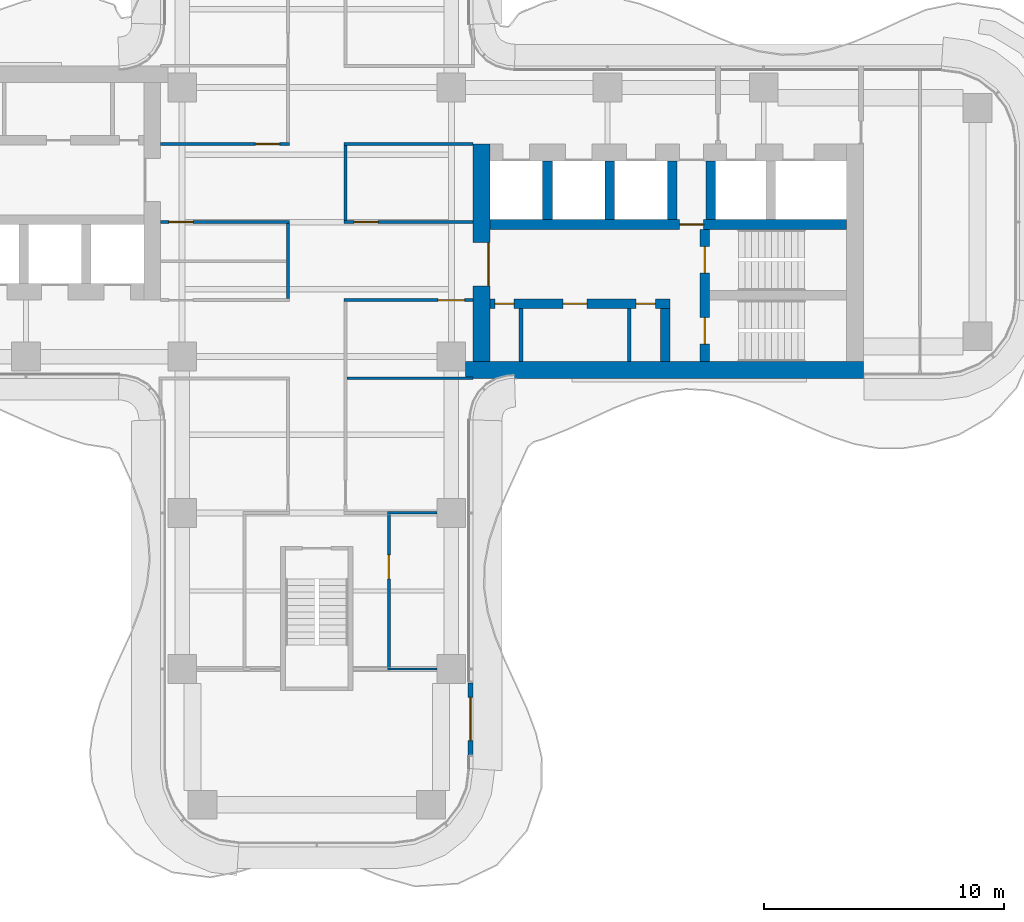
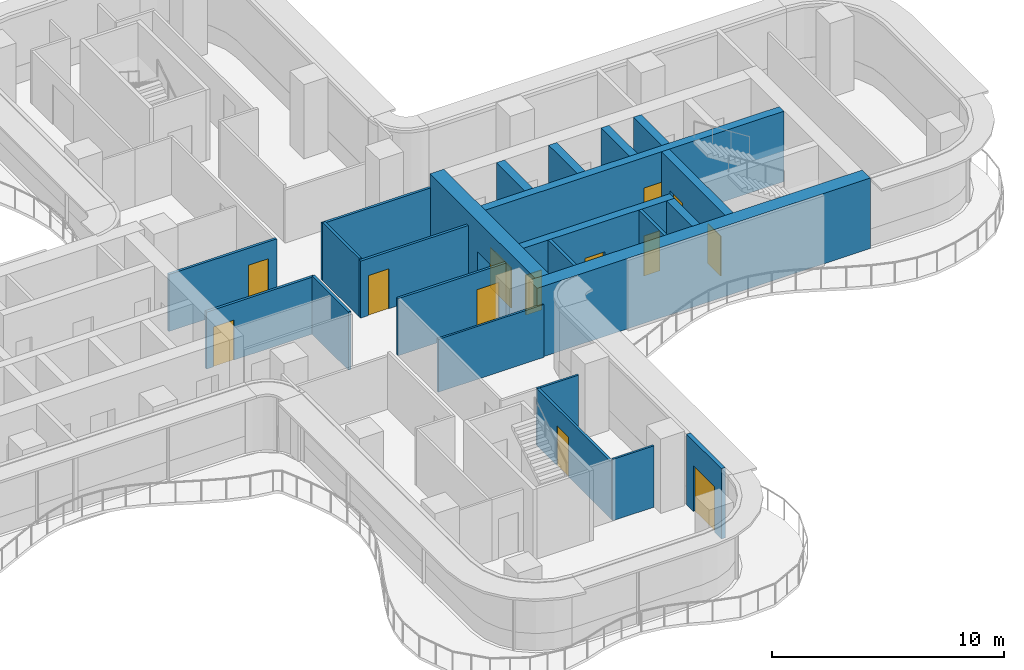
# One storey, part 14 of 18: 24 walls, 13 doors, 13 openings.
"""IFC4 building model written with IfcOpenShell, lengths in metres."""

from ifc_helpers import new_model, si_unit, direction, frame, frame_2d, origin, place, context, subcontext, project, spatial, rectangle, extrude, source, transform, mapped, material, layer, layer_set, type_object, element, fill, save


model = new_model("IFC4")

# Units and contexts
model_context = context("Model", 3, precision=1e-05, world=origin(), true_north=direction((0.0, 1.0)))
body_context = subcontext(model_context, "Body", "Model", "MODEL_VIEW")
ifc_project = project(units=[si_unit("LENGTHUNIT", "METRE"), si_unit("AREAUNIT", "SQUARE_METRE"), si_unit("VOLUMEUNIT", "CUBIC_METRE"), si_unit("PLANEANGLEUNIT", "RADIAN"), si_unit("MASSUNIT", "GRAM", prefix="KILO")], contexts=[model_context])

# Site, building, storey
site_placement = place(None, origin())
site = spatial("IfcSite", under=ifc_project, at=site_placement, CompositionType="ELEMENT")
building_placement = place(site_placement, origin())
building = spatial("IfcBuilding", under=site, at=building_placement, Name="Trellis Farm Tower", CompositionType="ELEMENT")
storey_placement = place(building_placement, frame((0.0, 0.0, 204.89990234375)))
storey = spatial("IfcBuildingStorey", under=building, at=storey_placement, Name="L45", CompositionType="ELEMENT", Elevation=204.89990234375)

# Wall, opening, door
ifc_material_1 = material(Name="Concrete C70/85", Category="concrete")
ifc_layer_1 = layer(ifc_material_1, 0.699951171875)
ifc_layer_set_1 = layer_set([ifc_layer_1], Name="CORE OUTER WALL 700 CONCRETE C70/85")
wall_type_1 = type_object("IfcWallType", Name="CORE OUTER WALL 700 CONCRETE C70/85", PredefinedType="SHEAR", material=ifc_layer_set_1)
shared_shape_1 = source(origin(), body_context, "Body", "SweptSolid", [
    extrude(rectangle(XDim=9.050048828125, YDim=0.699951171875, at=frame_2d((4.52490234375, 0.0))), origin(), (0.0, 0.0, 1.0), 3.7001953125),
])
wall_1_placement = place(storey_placement, frame((6.85009765625, -5.800048828125, 0.0), z_axis=(0.0, 0.0, 1.0), x_axis=(0.0, 1.0, 0.0)))
wall_1 = element("IfcWall", 1, at=wall_1_placement, inside=storey, type_object=wall_type_1, Name="Core wall", PredefinedType="SHEAR", context=body_context, shape_type="MappedRepresentation", body=[
    mapped(shared_shape_1, transform((0.0, 0.0, 0.0))),
])
shared_shape_2 = source(origin(), body_context, "Body", "SweptSolid", [
    extrude(rectangle(XDim=1.800048828125, YDim=2.10009765625, at=frame_2d((0.89990234375, 1.050048828125))), frame((0.0, 0.360107421875, 0.0), z_axis=(0.0, -1.0, 0.0), x_axis=(1.0, 0.0, 0.0)), (0.0, 0.0, 1.0), 0.72021484375),
])
opening_1_placement = place(wall_1_placement, frame((3.14990234375, 0.0, 0.0)))
opening_1 = element("IfcOpeningElement", 2, at=opening_1_placement, cuts=wall_1, Name="Opening DC1", PredefinedType="OPENING", context=body_context, shape_type="MappedRepresentation", body=[
    mapped(shared_shape_2, transform((0.0, 0.0, 0.0))),
])
ifc_material_2 = material(Name="Steel", Category="steel")
door_type_1 = type_object("IfcDoorType", Name="CORE FIRE DOOR DOUBLE 1800 X 2100", OperationType="DOUBLE_DOOR_SINGLE_SWING", PredefinedType="DOOR", material=ifc_material_2)
shared_shape_3 = source(origin(), body_context, "Body", "SweptSolid", [
    extrude(rectangle(XDim=1.800048828125, YDim=2.10009765625, at=frame_2d((0.89990234375, 1.050048828125))), frame((0.0, -0.27490234375, 0.0), z_axis=(0.0, -1.0, 0.0), x_axis=(1.0, 0.0, 0.0)), (0.0, 0.0, 1.0), 0.050048828125),
])
door_1_placement = place(opening_1_placement, origin())
door_1 = element("IfcDoor", 3, at=door_1_placement, inside=storey, type_object=door_type_1, Name="Core door", OperationType="DOUBLE_DOOR_SINGLE_SWING", OverallHeight=2.10009765625, OverallWidth=1.800048828125, PredefinedType="DOOR", context=body_context, shape_type="MappedRepresentation", body=[
    mapped(shared_shape_3, transform((0.0, 0.0, 0.0))),
])
fill(opening_1, door_1)

# Walls
ifc_layer_2 = layer(ifc_material_1, 0.39990234375)
ifc_layer_set_2 = layer_set([ifc_layer_2], Name="CORE INNER WALL 400 CONCRETE C70/85")
wall_type_2 = type_object("IfcWallType", Name="CORE INNER WALL 400 CONCRETE C70/85", PredefinedType="SHEAR", material=ifc_layer_set_2)
shared_shape_4 = source(origin(), body_context, "Body", "SweptSolid", [
    extrude(rectangle(XDim=2.449951171875, YDim=0.39990234375, at=frame_2d((1.22509765625, 0.0))), origin(), (0.0, 0.0, 1.0), 3.7001953125),
])
for number, where, z_axis, x_axis, name in (
    (4, (9.60009765625, 0.10009765625, 0.0), (0.0, 0.0, 1.0), (0.0, 1.0, 0.0), "Core wall"),
    (5, (12.199951171875, 0.10009765625, 0.0), (0.0, 0.0, 1.0), (0.0, 1.0, 0.0), "Core wall"),
    (6, (14.800048828125, 0.10009765625, 0.0), (0.0, 0.0, 1.0), (0.0, 1.0, 0.0), "Core wall"),
    (7, (16.39990234375, 0.10009765625, 0.0), (0.0, 0.0, 1.0), (0.0, 1.0, 0.0), "Core wall"),
):
    element("IfcWall", number, at=place(storey_placement, frame(where, z_axis=z_axis, x_axis=x_axis)), inside=storey, type_object=wall_type_2, Name=name, PredefinedType="SHEAR", context=body_context, shape_type="MappedRepresentation", body=[
        mapped(shared_shape_4, transform((0.0, 0.0, 0.0))),
    ])
shared_shape_5 = source(origin(), body_context, "Body", "SweptSolid", [
    extrude(rectangle(XDim=16.550048828125, YDim=0.699951171875, at=frame_2d((8.27490234375, 0.0))), origin(), (0.0, 0.0, 1.0), 3.7001953125),
])
wall_2_placement = place(storey_placement, frame((6.199951171875, -6.14990234375, 0.0), z_axis=(0.0, 0.0, 1.0), x_axis=(1.0, 0.0, 0.0)))
element("IfcWall", 8, at=wall_2_placement, inside=storey, type_object=wall_type_1, Name="Core wall", PredefinedType="SHEAR", context=body_context, shape_type="MappedRepresentation", body=[
    mapped(shared_shape_5, transform((0.0, 0.0, 0.0))),
])

# Wall, openings, doors
shared_shape_6 = source(origin(), body_context, "Body", "SweptSolid", [
    extrude(rectangle(XDim=7.5, YDim=0.39990234375, at=frame_2d((3.75, 0.0))), origin(), (0.0, 0.0, 1.0), 3.7001953125),
])
wall_3_placement = place(storey_placement, frame((7.199951171875, -3.39990234375, 0.0), z_axis=(0.0, 0.0, 1.0), x_axis=(1.0, 0.0, 0.0)))
wall_3 = element("IfcWall", 9, at=wall_3_placement, inside=storey, type_object=wall_type_2, Name="Core wall", PredefinedType="SHEAR", context=body_context, shape_type="MappedRepresentation", body=[
    mapped(shared_shape_6, transform((0.0, 0.0, 0.0))),
])
shared_shape_7 = source(origin(), body_context, "Body", "SweptSolid", [
    extrude(rectangle(XDim=0.800048828125, YDim=2.10009765625, at=frame_2d((0.39990234375, 1.050048828125))), frame((0.0, 0.2099609375, 0.0), z_axis=(0.0, -1.0, 0.0), x_axis=(1.0, 0.0, 0.0)), (0.0, 0.0, 1.0), 0.419921875),
])
opening_2_placement = place(wall_3_placement, frame((0.21240234375, 0.0, 0.0)))
opening_2 = element("IfcOpeningElement", 10, at=opening_2_placement, cuts=wall_3, Name="Opening DC51", PredefinedType="OPENING", context=body_context, shape_type="MappedRepresentation", body=[
    mapped(shared_shape_7, transform((0.0, 0.0, 0.0))),
])
shared_shape_8 = source(origin(), body_context, "Body", "SweptSolid", [
    extrude(rectangle(XDim=1.0, YDim=2.10009765625, at=frame_2d((0.5, 1.050048828125))), frame((0.0, 0.2099609375, 0.0), z_axis=(0.0, -1.0, 0.0), x_axis=(1.0, 0.0, 0.0)), (0.0, 0.0, 1.0), 0.419921875),
])
opening_3_placement = place(wall_3_placement, frame((3.050048828125, 0.0, 0.0)))
opening_3 = element("IfcOpeningElement", 11, at=opening_3_placement, cuts=wall_3, Name="Opening DC62", PredefinedType="OPENING", context=body_context, shape_type="MappedRepresentation", body=[
    mapped(shared_shape_8, transform((0.0, 0.0, 0.0))),
])
opening_4_placement = place(wall_3_placement, frame((6.08740234375, 0.0, 0.0)))
opening_4 = element("IfcOpeningElement", 12, at=opening_4_placement, cuts=wall_3, Name="Opening DC63", PredefinedType="OPENING", context=body_context, shape_type="MappedRepresentation", body=[
    mapped(shared_shape_7, transform((0.0, 0.0, 0.0))),
])
door_type_2 = type_object("IfcDoorType", Name="CORE FIRE DOOR 1000 X 2100", OperationType="NOTDEFINED", PredefinedType="DOOR", material=ifc_material_2)
shared_shape_9 = source(origin(), body_context, "Body", "SweptSolid", [
    extrude(rectangle(XDim=1.0, YDim=2.10009765625, at=frame_2d((0.5, 1.050048828125))), frame((0.0, 0.02490234375, 0.0), z_axis=(0.0, -1.0, 0.0), x_axis=(1.0, 0.0, 0.0)), (0.0, 0.0, 1.0), 0.050048828125),
])
door_2_placement = place(opening_3_placement, origin())
door_2 = element("IfcDoor", 13, at=door_2_placement, inside=storey, type_object=door_type_2, Name="Core door", OperationType="SINGLE_SWING_RIGHT", OverallHeight=2.10009765625, OverallWidth=1.0, PredefinedType="DOOR", context=body_context, shape_type="MappedRepresentation", body=[
    mapped(shared_shape_9, transform((0.0, 0.0, 0.0))),
])
fill(opening_3, door_2)
door_type_3 = type_object("IfcDoorType", Name="CORE FIRE DOOR 800 X 2100", OperationType="NOTDEFINED", PredefinedType="DOOR", material=ifc_material_2)
shared_shape_10 = source(origin(), body_context, "Body", "SweptSolid", [
    extrude(rectangle(XDim=0.800048828125, YDim=2.10009765625, at=frame_2d((0.39990234375, 1.050048828125))), frame((0.0, 0.02490234375, 0.0), z_axis=(0.0, -1.0, 0.0), x_axis=(1.0, 0.0, 0.0)), (0.0, 0.0, 1.0), 0.050048828125),
])
door_3_placement = place(opening_2_placement, origin())
door_3 = element("IfcDoor", 14, at=door_3_placement, inside=storey, type_object=door_type_3, Name="Core door", OperationType="SINGLE_SWING_LEFT", OverallHeight=2.10009765625, OverallWidth=0.800048828125, PredefinedType="DOOR", context=body_context, shape_type="MappedRepresentation", body=[
    mapped(shared_shape_10, transform((0.0, 0.0, 0.0))),
])
fill(opening_2, door_3)
door_4_placement = place(opening_4_placement, origin())
door_4 = element("IfcDoor", 15, at=door_4_placement, inside=storey, type_object=door_type_3, Name="Core door", OperationType="SINGLE_SWING_LEFT", OverallHeight=2.10009765625, OverallWidth=0.800048828125, PredefinedType="DOOR", context=body_context, shape_type="MappedRepresentation", body=[
    mapped(shared_shape_10, transform((0.0, 0.0, 0.0))),
])
fill(opening_4, door_4)

# Wall, opening, door
shared_shape_11 = source(origin(), body_context, "Body", "SweptSolid", [
    extrude(rectangle(XDim=14.85009765625, YDim=0.39990234375, at=frame_2d((7.425048828125, 0.0))), origin(), (0.0, 0.0, 1.0), 3.7001953125),
])
wall_4_placement = place(storey_placement, frame((7.199951171875, -0.10009765625, 0.0), z_axis=(0.0, 0.0, 1.0), x_axis=(1.0, 0.0, 0.0)))
wall_4 = element("IfcWall", 16, at=wall_4_placement, inside=storey, type_object=wall_type_2, Name="Core wall", PredefinedType="SHEAR", context=body_context, shape_type="MappedRepresentation", body=[
    mapped(shared_shape_11, transform((0.0, 0.0, 0.0))),
])
opening_5_placement = place(wall_4_placement, frame((7.89990234375, 0.0, 0.0)))
opening_5 = element("IfcOpeningElement", 17, at=opening_5_placement, cuts=wall_4, Name="Opening DC5", PredefinedType="OPENING", context=body_context, shape_type="MappedRepresentation", body=[
    mapped(shared_shape_8, transform((0.0, 0.0, 0.0))),
])
door_5_placement = place(opening_5_placement, origin())
door_5 = element("IfcDoor", 18, at=door_5_placement, inside=storey, type_object=door_type_2, Name="Core door", OperationType="SINGLE_SWING_RIGHT", OverallHeight=2.10009765625, OverallWidth=1.0, PredefinedType="DOOR", context=body_context, shape_type="MappedRepresentation", body=[
    mapped(shared_shape_9, transform((0.0, 0.0, 0.0))),
])
fill(opening_5, door_5)

# Wall, openings, doors
shared_shape_12 = source(origin(), body_context, "Body", "SweptSolid", [
    extrude(rectangle(XDim=5.5, YDim=0.39990234375, at=frame_2d((2.75, 0.0))), origin(), (0.0, 0.0, 1.0), 3.7001953125),
])
wall_5_placement = place(storey_placement, frame((16.14990234375, -5.800048828125, 0.0), z_axis=(0.0, 0.0, 1.0), x_axis=(0.0, 1.0, 0.0)))
wall_5 = element("IfcWall", 19, at=wall_5_placement, inside=storey, type_object=wall_type_2, Name="Core wall", PredefinedType="SHEAR", context=body_context, shape_type="MappedRepresentation", body=[
    mapped(shared_shape_12, transform((0.0, 0.0, 0.0))),
])
shared_shape_13 = source(origin(), body_context, "Body", "SweptSolid", [
    extrude(rectangle(XDim=1.10009765625, YDim=2.10009765625, at=frame_2d((0.550048828125, 1.050048828125))), frame((0.0, 0.2099609375, 0.0), z_axis=(0.0, -1.0, 0.0), x_axis=(1.0, 0.0, 0.0)), (0.0, 0.0, 1.0), 0.419921875),
])
opening_6_placement = place(wall_5_placement, frame((0.72509765625, 0.0, 0.0)))
opening_6 = element("IfcOpeningElement", 20, at=opening_6_placement, cuts=wall_5, Name="Opening DC2", PredefinedType="OPENING", context=body_context, shape_type="MappedRepresentation", body=[
    mapped(shared_shape_13, transform((0.0, 0.0, 0.0))),
])
opening_7_placement = place(wall_5_placement, frame((3.675048828125, 0.0, 0.0)))
opening_7 = element("IfcOpeningElement", 21, at=opening_7_placement, cuts=wall_5, Name="Opening DC3", PredefinedType="OPENING", context=body_context, shape_type="MappedRepresentation", body=[
    mapped(shared_shape_13, transform((0.0, 0.0, 0.0))),
])
door_type_4 = type_object("IfcDoorType", Name="CORE FIRE DOOR 1100 X 2100", OperationType="NOTDEFINED", PredefinedType="DOOR", material=ifc_material_2)
shared_shape_14 = source(origin(), body_context, "Body", "SweptSolid", [
    extrude(rectangle(XDim=1.10009765625, YDim=2.10009765625, at=frame_2d((0.550048828125, 1.050048828125))), frame((0.0, 0.02490234375, 0.0), z_axis=(0.0, -1.0, 0.0), x_axis=(1.0, 0.0, 0.0)), (0.0, 0.0, 1.0), 0.050048828125),
])
door_6_placement = place(opening_6_placement, origin())
door_6 = element("IfcDoor", 22, at=door_6_placement, inside=storey, type_object=door_type_4, Name="Core door", OperationType="SINGLE_SWING_RIGHT", OverallHeight=2.10009765625, OverallWidth=1.10009765625, PredefinedType="DOOR", context=body_context, shape_type="MappedRepresentation", body=[
    mapped(shared_shape_14, transform((0.0, 0.0, 0.0))),
])
fill(opening_6, door_6)
door_7_placement = place(opening_7_placement, origin())
door_7 = element("IfcDoor", 23, at=door_7_placement, inside=storey, type_object=door_type_4, Name="Core door", OperationType="SINGLE_SWING_LEFT", OverallHeight=2.10009765625, OverallWidth=1.10009765625, PredefinedType="DOOR", context=body_context, shape_type="MappedRepresentation", body=[
    mapped(shared_shape_14, transform((0.0, 0.0, 0.0))),
])
fill(opening_7, door_7)

# Walls
shared_shape_15 = source(origin(), body_context, "Body", "SweptSolid", [
    extrude(rectangle(XDim=2.199951171875, YDim=0.39990234375, at=frame_2d((1.10009765625, 0.0))), origin(), (0.0, 0.0, 1.0), 3.7001953125),
])
wall_6_placement = place(storey_placement, frame((14.5, -5.800048828125, 0.0), z_axis=(0.0, 0.0, 1.0), x_axis=(0.0, 1.0, 0.0)))
element("IfcWall", 24, at=wall_6_placement, inside=storey, type_object=wall_type_2, Name="Core wall", PredefinedType="SHEAR", context=body_context, shape_type="MappedRepresentation", body=[
    mapped(shared_shape_15, transform((0.0, 0.0, 0.0))),
])
ifc_material_3 = material(Name="Masonry blockwork", Category="masonry")
ifc_layer_3 = layer(ifc_material_3, 0.14990234375)
ifc_layer_set_3 = layer_set([ifc_layer_3], Name="CORE PARTITION 150 BLOCKWORK")
wall_type_3 = type_object("IfcWallType", Name="CORE PARTITION 150 BLOCKWORK", PredefinedType="PARTITIONING", material=ifc_layer_set_3)
shared_shape_16 = source(origin(), body_context, "Body", "SweptSolid", [
    extrude(rectangle(XDim=2.199951171875, YDim=0.14990234375, at=frame_2d((1.10009765625, 0.0))), origin(), (0.0, 0.0, 1.0), 3.7001953125),
])
for number, where, z_axis, x_axis, name in (
    (25, (8.5, -5.800048828125, 0.0), (0.0, 0.0, 1.0), (0.0, 1.0, 0.0), "Core room partition"),
    (26, (13.0, -5.800048828125, 0.0), (0.0, 0.0, 1.0), (0.0, 1.0, 0.0), "Core room partition"),
):
    element("IfcWall", number, at=place(storey_placement, frame(where, z_axis=z_axis, x_axis=x_axis)), inside=storey, type_object=wall_type_3, Name=name, PredefinedType="PARTITIONING", context=body_context, shape_type="MappedRepresentation", body=[
        mapped(shared_shape_16, transform((0.0, 0.0, 0.0))),
    ])

# Wall, opening, door
ifc_material_4 = material(Name="Sandstone faced insulated wall", Category="masonry")
ifc_layer_4 = layer(ifc_material_4, 0.199951171875)
ifc_layer_set_4 = layer_set([ifc_layer_4], Name="EXTERNAL INFILL WALL 200")
wall_type_4 = type_object("IfcWallType", Name="EXTERNAL INFILL WALL 200", PredefinedType="SOLIDWALL", material=ifc_layer_set_4)
shared_shape_17 = source(origin(), body_context, "Body", "SweptSolid", [
    extrude(rectangle(XDim=3.0, YDim=0.199951171875, at=frame_2d((1.5, 0.0))), origin(), (0.0, 0.0, 1.0), 3.7001953125),
])
wall_7_placement = place(storey_placement, frame((6.39990234375, -22.175048828125, 0.0), z_axis=(0.0, 0.0, 1.0), x_axis=(0.0, 1.0, 0.0)))
wall_7 = element("IfcWall", 27, at=wall_7_placement, inside=storey, type_object=wall_type_4, Name="EW1 01", PredefinedType="SOLIDWALL", context=body_context, shape_type="MappedRepresentation", body=[
    mapped(shared_shape_17, transform((0.0, 0.0, 0.0))),
])
shared_shape_18 = source(origin(), body_context, "Body", "SweptSolid", [
    extrude(rectangle(XDim=1.800048828125, YDim=2.39990234375, at=frame_2d((0.89990234375, 1.199951171875))), frame((0.0, 0.110107421875, 0.0), z_axis=(0.0, -1.0, 0.0), x_axis=(1.0, 0.0, 0.0)), (0.0, 0.0, 1.0), 0.22021484375),
])
opening_8_placement = place(wall_7_placement, frame((0.60009765625, 0.0, 0.0)))
opening_8 = element("IfcOpeningElement", 28, at=opening_8_placement, cuts=wall_7, Name="Opening ED1", PredefinedType="OPENING", context=body_context, shape_type="MappedRepresentation", body=[
    mapped(shared_shape_18, transform((0.0, 0.0, 0.0))),
])
ifc_material_5 = material(Name="Aluminium framed glazed door", Category="aluminium")
door_type_5 = type_object("IfcDoorType", Name="BALCONY DOOR 1800x2400", OperationType="DOUBLE_DOOR_SINGLE_SWING", PredefinedType="DOOR", material=ifc_material_5)
shared_shape_19 = source(origin(), body_context, "Body", "SweptSolid", [
    extrude(rectangle(XDim=1.800048828125, YDim=2.39990234375, at=frame_2d((0.89990234375, 1.199951171875))), frame((0.0, 0.02490234375, 0.0), z_axis=(0.0, -1.0, 0.0), x_axis=(1.0, 0.0, 0.0)), (0.0, 0.0, 1.0), 0.050048828125),
])
door_8_placement = place(opening_8_placement, origin())
door_8 = element("IfcDoor", 29, at=door_8_placement, inside=storey, type_object=door_type_5, Name="Balcony door", OperationType="DOUBLE_DOOR_SINGLE_SWING", OverallHeight=2.39990234375, OverallWidth=1.800048828125, PredefinedType="DOOR", context=body_context, shape_type="MappedRepresentation", body=[
    mapped(shared_shape_19, transform((0.0, 0.0, 0.0))),
])
fill(opening_8, door_8)

# Walls
ifc_material_6 = material(Name="Plasterboard on steel studs, mineral wool", Category="steel")
ifc_layer_5 = layer(ifc_material_6, 0.125)
ifc_layer_set_5 = layer_set([ifc_layer_5], Name="PARTITION 125 STUD EI 60")
wall_type_5 = type_object("IfcWallType", Name="PARTITION 125 STUD EI 60", PredefinedType="PARTITIONING", material=ifc_layer_set_5)
shared_shape_20 = source(origin(), body_context, "Body", "SweptSolid", [
    extrude(rectangle(XDim=3.125, YDim=0.125, at=frame_2d((1.5625, 0.0))), origin(), (0.0, 0.0, 1.0), 3.06787109375),
])
for number, where, z_axis, x_axis, name in (
    (30, (-1.199951171875, -0.0625, 0.0), (0.0, 0.0, 1.0), (0.0, -1.0, 0.0), "Partition PW1"),
    (31, (1.199951171875, 3.1875, 0.0), (0.0, 0.0, 1.0), (0.0, -1.0, 0.0), "Partition PW1"),
):
    element("IfcWall", number, at=place(storey_placement, frame(where, z_axis=z_axis, x_axis=x_axis)), inside=storey, type_object=wall_type_5, Name=name, PredefinedType="PARTITIONING", context=body_context, shape_type="MappedRepresentation", body=[
        mapped(shared_shape_20, transform((0.0, 0.0, 0.0))),
    ])

# Wall, opening, door
shared_shape_21 = source(origin(), body_context, "Body", "SweptSolid", [
    extrude(rectangle(XDim=5.362548828125, YDim=0.125, at=frame_2d((2.68115234375, 0.0))), origin(), (0.0, 0.0, 1.0), 2.99658203125),
])
wall_8_placement = place(storey_placement, frame((6.5, -3.25, 0.0), z_axis=(0.0, 0.0, 1.0), x_axis=(-1.0, 0.0, 0.0)))
wall_8 = element("IfcWall", 32, at=wall_8_placement, inside=storey, type_object=wall_type_5, Name="Partition PW1", PredefinedType="PARTITIONING", context=body_context, shape_type="MappedRepresentation", body=[
    mapped(shared_shape_21, transform((0.0, 0.0, 0.0))),
])
shared_shape_22 = source(origin(), body_context, "Body", "SweptSolid", [
    extrude(rectangle(XDim=1.10009765625, YDim=2.10009765625, at=frame_2d((0.550048828125, 1.050048828125))), frame((0.0, 0.072509765625, 0.0), z_axis=(0.0, -1.0, 0.0), x_axis=(1.0, 0.0, 0.0)), (0.0, 0.0, 1.0), 0.14501953125),
])
opening_9_placement = place(wall_8_placement, frame((0.35009765625, 0.0, 0.0)))
opening_9 = element("IfcOpeningElement", 33, at=opening_9_placement, cuts=wall_8, Name="Opening D501", PredefinedType="OPENING", context=body_context, shape_type="MappedRepresentation", body=[
    mapped(shared_shape_22, transform((0.0, 0.0, 0.0))),
])
ifc_material_7 = material(Name="Fire-rated timber door leaf in a hollow metal frame", Category="wood")
door_type_6 = type_object("IfcDoorType", Name="DOOR 1100x2100 FD30S", OperationType="NOTDEFINED", PredefinedType="DOOR", material=ifc_material_7)
door_9_placement = place(opening_9_placement, origin())
door_9 = element("IfcDoor", 34, at=door_9_placement, inside=storey, type_object=door_type_6, Name="Door D501", OperationType="SINGLE_SWING_LEFT", OverallHeight=2.10009765625, OverallWidth=1.10009765625, PredefinedType="DOOR", context=body_context, shape_type="MappedRepresentation", body=[
    mapped(shared_shape_14, transform((0.0, 0.0, 0.0))),
])
fill(opening_9, door_9)

wall_9_placement = place(storey_placement, frame((-1.137451171875, 0.0, 0.0), z_axis=(0.0, 0.0, 1.0), x_axis=(-1.0, 0.0, 0.0)))
wall_9 = element("IfcWall", 35, at=wall_9_placement, inside=storey, type_object=wall_type_5, Name="Partition PW1", PredefinedType="PARTITIONING", context=body_context, shape_type="MappedRepresentation", body=[
    mapped(shared_shape_21, transform((0.0, 0.0, 0.0))),
])
shared_shape_23 = source(origin(), body_context, "Body", "SweptSolid", [
    extrude(rectangle(XDim=1.0, YDim=2.10009765625, at=frame_2d((0.5, 1.050048828125))), frame((0.0, 0.072509765625, 0.0), z_axis=(0.0, -1.0, 0.0), x_axis=(1.0, 0.0, 0.0)), (0.0, 0.0, 1.0), 0.14501953125),
])
opening_10_placement = place(wall_9_placement, frame((4.012451171875, 0.0, 0.0)))
opening_10 = element("IfcOpeningElement", 36, at=opening_10_placement, cuts=wall_9, Name="Opening D106", PredefinedType="OPENING", context=body_context, shape_type="MappedRepresentation", body=[
    mapped(shared_shape_23, transform((0.0, 0.0, 0.0))),
])
door_type_7 = type_object("IfcDoorType", Name="DOOR 1000x2100 FD30S", OperationType="NOTDEFINED", PredefinedType="DOOR", material=ifc_material_7)
door_10_placement = place(opening_10_placement, origin())
door_10 = element("IfcDoor", 37, at=door_10_placement, inside=storey, type_object=door_type_7, Name="Door D106", OperationType="SINGLE_SWING_RIGHT", OverallHeight=2.10009765625, OverallWidth=1.0, PredefinedType="DOOR", context=body_context, shape_type="MappedRepresentation", body=[
    mapped(shared_shape_9, transform((0.0, 0.0, 0.0))),
])
fill(opening_10, door_10)

wall_10_placement = place(storey_placement, frame((6.5, 0.0, 0.0), z_axis=(0.0, 0.0, 1.0), x_axis=(-1.0, 0.0, 0.0)))
wall_10 = element("IfcWall", 38, at=wall_10_placement, inside=storey, type_object=wall_type_5, Name="Partition PW1", PredefinedType="PARTITIONING", context=body_context, shape_type="MappedRepresentation", body=[
    mapped(shared_shape_21, transform((0.0, 0.0, 0.0))),
])
opening_11_placement = place(wall_10_placement, frame((3.949951171875, 0.0, 0.0)))
opening_11 = element("IfcOpeningElement", 39, at=opening_11_placement, cuts=wall_10, Name="Opening D107", PredefinedType="OPENING", context=body_context, shape_type="MappedRepresentation", body=[
    mapped(shared_shape_23, transform((0.0, 0.0, 0.0))),
])
door_11_placement = place(opening_11_placement, origin())
door_11 = element("IfcDoor", 40, at=door_11_placement, inside=storey, type_object=door_type_7, Name="Door D107", OperationType="SINGLE_SWING_RIGHT", OverallHeight=2.10009765625, OverallWidth=1.0, PredefinedType="DOOR", context=body_context, shape_type="MappedRepresentation", body=[
    mapped(shared_shape_9, transform((0.0, 0.0, 0.0))),
])
fill(opening_11, door_11)

wall_11_placement = place(storey_placement, frame((-6.5, 3.25, 0.0), z_axis=(0.0, 0.0, 1.0), x_axis=(1.0, 0.0, 0.0)))
wall_11 = element("IfcWall", 41, at=wall_11_placement, inside=storey, type_object=wall_type_5, Name="Partition PW1", PredefinedType="PARTITIONING", context=body_context, shape_type="MappedRepresentation", body=[
    mapped(shared_shape_21, transform((0.0, 0.0, 0.0))),
])
opening_12_placement = place(wall_11_placement, frame((3.949951171875, 0.0, 0.0)))
opening_12 = element("IfcOpeningElement", 42, at=opening_12_placement, cuts=wall_11, Name="Opening D108", PredefinedType="OPENING", context=body_context, shape_type="MappedRepresentation", body=[
    mapped(shared_shape_23, transform((0.0, 0.0, 0.0))),
])
door_12_placement = place(opening_12_placement, origin())
door_12 = element("IfcDoor", 43, at=door_12_placement, inside=storey, type_object=door_type_7, Name="Door D108", OperationType="SINGLE_SWING_RIGHT", OverallHeight=2.10009765625, OverallWidth=1.0, PredefinedType="DOOR", context=body_context, shape_type="MappedRepresentation", body=[
    mapped(shared_shape_9, transform((0.0, 0.0, 0.0))),
])
fill(opening_12, door_12)

# Walls
wall_12_placement = place(storey_placement, frame((1.137451171875, 3.25, 0.0), z_axis=(0.0, 0.0, 1.0), x_axis=(1.0, 0.0, 0.0)))
element("IfcWall", 44, at=wall_12_placement, inside=storey, type_object=wall_type_5, Name="Partition PW1", PredefinedType="PARTITIONING", context=body_context, shape_type="MappedRepresentation", body=[
    mapped(shared_shape_21, transform((0.0, 0.0, 0.0))),
])
ifc_material_8 = material(Name="Plasterboard on steel studs", Category="steel")
ifc_layer_6 = layer(ifc_material_8, 0.10009765625)
ifc_layer_set_6 = layer_set([ifc_layer_6], Name="PARTITION 100 STUD EI 30")
wall_type_6 = type_object("IfcWallType", Name="PARTITION 100 STUD EI 30", PredefinedType="PARTITIONING", material=ifc_layer_set_6)
shared_shape_24 = source(origin(), body_context, "Body", "SweptSolid", [
    extrude(rectangle(XDim=2.0625, YDim=0.10009765625, at=frame_2d((1.03125, 0.0))), origin(), (0.0, 0.0, 1.0), 2.99658203125),
])
wall_13_placement = place(storey_placement, frame((2.9375, -12.10009765625, 0.0), z_axis=(0.0, 0.0, 1.0), x_axis=(1.0, 0.0, 0.0)))
element("IfcWall", 45, at=wall_13_placement, inside=storey, type_object=wall_type_6, Name="Partition PW2", PredefinedType="PARTITIONING", context=body_context, shape_type="MappedRepresentation", body=[
    mapped(shared_shape_24, transform((0.0, 0.0, 0.0))),
])

# Wall, opening, door
shared_shape_25 = source(origin(), body_context, "Body", "SweptSolid", [
    extrude(rectangle(XDim=6.400146484375, YDim=0.125, at=frame_2d((3.2001953125, 0.0))), origin(), (0.0, 0.0, 1.0), 2.99658203125),
])
wall_14_placement = place(storey_placement, frame((3.0, -12.14990234375, 0.0), z_axis=(0.0, 0.0, 1.0), x_axis=(0.0, -1.0, 0.0)))
wall_14 = element("IfcWall", 46, at=wall_14_placement, inside=storey, type_object=wall_type_5, Name="Partition PW1", PredefinedType="PARTITIONING", context=body_context, shape_type="MappedRepresentation", body=[
    mapped(shared_shape_25, transform((0.0, 0.0, 0.0))),
])
opening_13_placement = place(wall_14_placement, frame((1.699951171875, 0.0, 0.0)))
opening_13 = element("IfcOpeningElement", 47, at=opening_13_placement, cuts=wall_14, Name="Opening D102", PredefinedType="OPENING", context=body_context, shape_type="MappedRepresentation", body=[
    mapped(shared_shape_23, transform((0.0, 0.0, 0.0))),
])
door_13_placement = place(opening_13_placement, origin())
door_13 = element("IfcDoor", 48, at=door_13_placement, inside=storey, type_object=door_type_7, Name="Door D102", OperationType="SINGLE_SWING_LEFT", OverallHeight=2.10009765625, OverallWidth=1.0, PredefinedType="DOOR", context=body_context, shape_type="MappedRepresentation", body=[
    mapped(shared_shape_9, transform((0.0, 0.0, 0.0))),
])
fill(opening_13, door_13)

# Walls
shared_shape_26 = source(origin(), body_context, "Body", "SweptSolid", [
    extrude(rectangle(XDim=2.0625, YDim=0.10009765625, at=frame_2d((1.03125, 0.0))), origin(), (0.0, 0.0, 1.0), 3.22314453125),
])
wall_15_placement = place(storey_placement, frame((2.9375, -18.60009765625, 0.0), z_axis=(0.0, 0.0, 1.0), x_axis=(1.0, 0.0, 0.0)))
element("IfcWall", 49, at=wall_15_placement, inside=storey, type_object=wall_type_6, Name="Partition PW2", PredefinedType="PARTITIONING", context=body_context, shape_type="MappedRepresentation", body=[
    mapped(shared_shape_26, transform((0.0, 0.0, 0.0))),
])
shared_shape_27 = source(origin(), body_context, "Body", "SweptSolid", [
    extrude(rectangle(XDim=5.237548828125, YDim=0.10009765625, at=frame_2d((2.61865234375, 0.0))), origin(), (0.0, 0.0, 1.0), 2.780029296875),
])
wall_16_placement = place(storey_placement, frame((1.262451171875, -6.5, 0.0), z_axis=(0.0, 0.0, 1.0), x_axis=(1.0, 0.0, 0.0)))
element("IfcWall", 50, at=wall_16_placement, inside=storey, type_object=wall_type_6, Name="Partition PW2", PredefinedType="PARTITIONING", context=body_context, shape_type="MappedRepresentation", body=[
    mapped(shared_shape_27, transform((0.0, 0.0, 0.0))),
])

save(model, "model.ifc")
